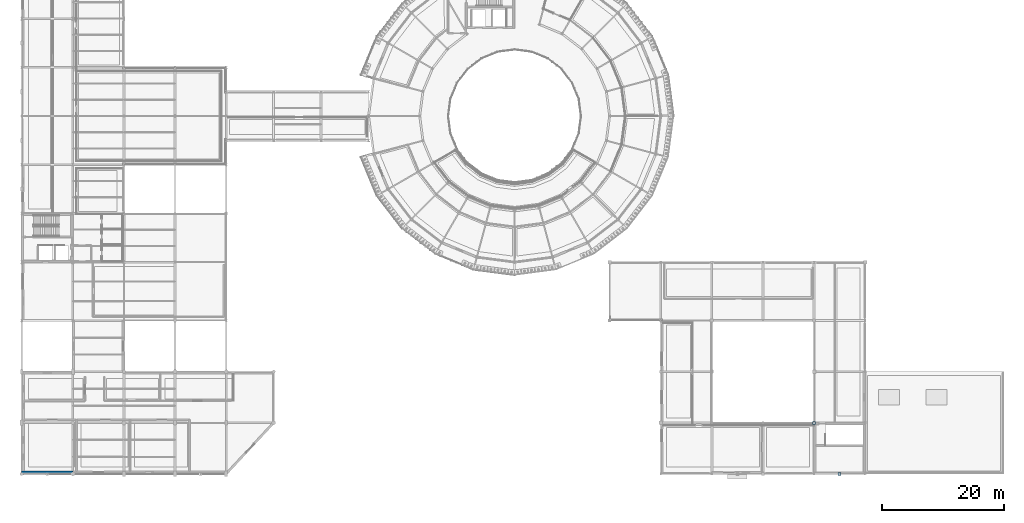
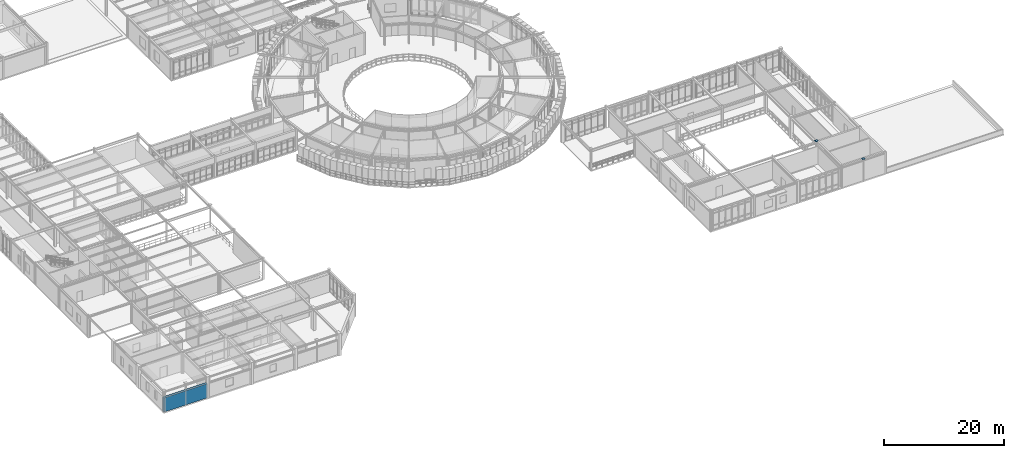
# One storey, part 82 of 106: 2 plates, 1 wall.
"""IFC4 building model written with IfcOpenShell, lengths in metres."""

from ifc_helpers import new_model, si_unit, derived_unit, direction, frame, frame_2d, origin, origin_2d, place, context, subcontext, project, spatial, rectangle, extrude, material, layer, layer_set, type_object, element, save


model = new_model("IFC4")

# Units and contexts
model_context = context("Model", 3, precision=1e-05, world=origin(), true_north=direction((0.0, 1.0)))
body_context = subcontext(model_context, "Body", "Model", "MODEL_VIEW")
ifc_project = project(units=[si_unit("LENGTHUNIT", "METRE"), si_unit("AREAUNIT", "SQUARE_METRE"), si_unit("VOLUMEUNIT", "CUBIC_METRE"), si_unit("PLANEANGLEUNIT", "RADIAN"), si_unit("MASSUNIT", "GRAM", prefix="KILO"), derived_unit("THERMALTRANSMITTANCEUNIT", [(si_unit("POWERUNIT", "WATT"), 1), (si_unit("AREAUNIT", "SQUARE_METRE"), -1), (si_unit("THERMODYNAMICTEMPERATUREUNIT", "KELVIN"), -1)])], contexts=[model_context])

# Site, building, storey
site_placement = place(None, origin())
site = spatial("IfcSite", under=ifc_project, at=site_placement, CompositionType="ELEMENT")
building_placement = place(site_placement, origin())
building = spatial("IfcBuilding", under=site, at=building_placement, Name="Yasenodar Specialist Clinic", CompositionType="ELEMENT")
storey_placement = place(building_placement, frame((0.0, 0.0, 4.5)))
storey = spatial("IfcBuildingStorey", under=building, at=storey_placement, Name="L01", CompositionType="ELEMENT", Elevation=4.5)

# Plates
ifc_material_1 = material(Name="Steel S355", Category="steel")
ifc_layer_1 = layer(ifc_material_1, 0.028076171875)
ifc_layer_set_1 = layer_set([ifc_layer_1], Name="Steel S355")
plate_type = type_object("IfcPlateType", Name="PL-STEEL-06", PredefinedType="USERDEFINED", material=ifc_layer_set_1)
for number, where, z_axis, x_axis, name in (
    (1, (130.199951171875, 8.39990234375, 4.5), (0.0, 0.0, 1.0), (1.0, 0.0, 0.0), "L01 Hollow Column Top Cap Plate 020"),
    (2, (134.39990234375, 0.0, 4.5), (0.0, 0.0, 1.0), (1.0, 0.0, 0.0), "L01 Hollow Column Top Cap Plate 023"),
):
    element("IfcPlate", number, at=place(storey_placement, frame(where, z_axis=z_axis, x_axis=x_axis)), inside=storey, type_object=plate_type, Name=name, ObjectType="CAP_PLATE", PredefinedType="USERDEFINED", context=body_context, shape_type="SweptSolid", body=[
        extrude(rectangle(XDim=0.47998046875, YDim=0.47998046875, at=origin_2d()), origin(), (0.0, 0.0, 1.0), 0.028076171875),
    ])

# Wall
ifc_material_2 = material(Name="Kapustianske Red Granite Ashlar Rainscreen", Category="masonry")
ifc_layer_2 = layer(ifc_material_2, 0.419921875)
ifc_layer_set_2 = layer_set([ifc_layer_2], Name="Kapustianske Red Granite Ashlar Rainscreen")
wall_type = type_object("IfcWallType", Name="EW-GRAN-420", PredefinedType="SOLIDWALL", material=ifc_layer_set_2)
wall_placement = place(storey_placement, frame((8.39990234375, 0.239990234375, 0.0), z_axis=(0.0, 0.0, 1.0), x_axis=(-1.0, 0.0, 0.0)))
element("IfcWall", 3, at=wall_placement, inside=storey, type_object=wall_type, Name="L01 Exterior Facade Wall 0051", PredefinedType="SOLIDWALL", context=body_context, shape_type="SweptSolid", body=[
    extrude(rectangle(XDim=8.39990234375, YDim=0.419921875, at=frame_2d((4.199951171875, 0.0))), origin(), (0.0, 0.0, 1.0), 2.867919921875),
])

save(model, "model.ifc")
